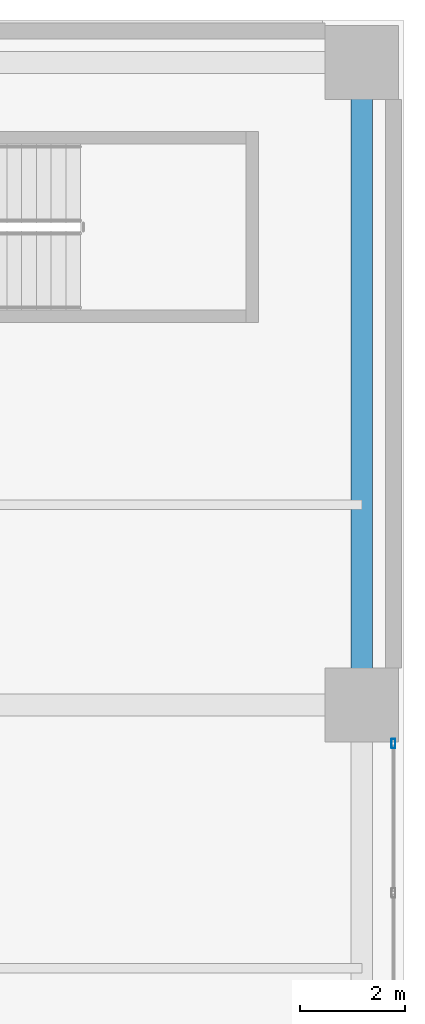
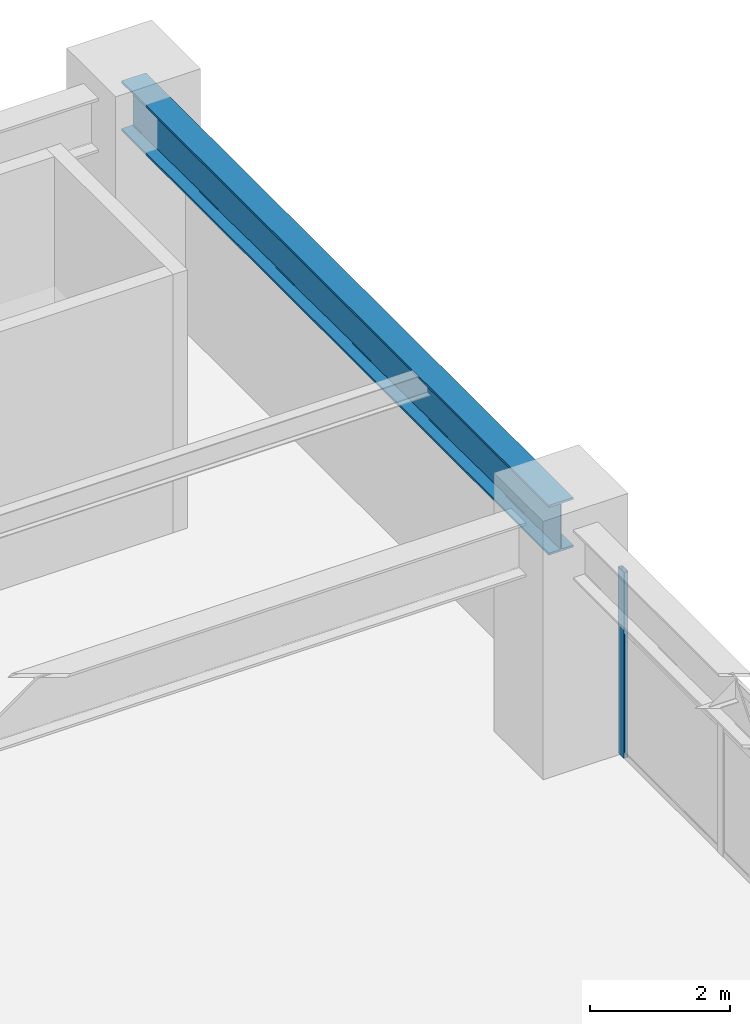
# One storey, part 18 of 28: 1 beam, 1 member, 1 element without a shape of its own.
"""IFC4 building model written with IfcOpenShell, lengths in metres."""

from ifc_helpers import new_model, si_unit, direction, frame, origin, origin_2d, place, context, subcontext, project, spatial, hollow_rectangle, i_section, extrude, material, layer, layer_set, material_profile, profile_set, type_object, element, aggregate, save


model = new_model("IFC4")

# Units and contexts
model_context = context("Model", 3, precision=1e-05, world=origin(), true_north=direction((0.0, 1.0)))
body_context = subcontext(model_context, "Body", "Model", "MODEL_VIEW")
ifc_project = project(units=[si_unit("LENGTHUNIT", "METRE"), si_unit("AREAUNIT", "SQUARE_METRE"), si_unit("VOLUMEUNIT", "CUBIC_METRE"), si_unit("PLANEANGLEUNIT", "RADIAN"), si_unit("MASSUNIT", "GRAM", prefix="KILO")], contexts=[model_context])

# Site, building, storey
site_placement = place(None, origin())
site = spatial("IfcSite", under=ifc_project, at=site_placement, CompositionType="ELEMENT")
building_placement = place(site_placement, origin())
building = spatial("IfcBuilding", under=site, at=building_placement, Name="Soratama Intermodal Tower", CompositionType="ELEMENT")
storey_placement = place(building_placement, frame((0.0, 0.0, 20.699951171875)))
storey = spatial("IfcBuildingStorey", under=building, at=storey_placement, Name="L04", CompositionType="ELEMENT", Elevation=20.699951171875)

# Beam
ifc_material_1 = material(Name="Structural steel ASTM A992 Grade 50", Category="steel")
ifc_material_profile_1 = material_profile(ifc_material_1, i_section(OverallWidth=0.403076171875, OverallDepth=0.867919921875, WebThickness=0.02099609375, FlangeThickness=0.03564453125, FilletRadius=0.01806640625, at=origin_2d()), Name="W33X241")
ifc_profile_set_1 = profile_set([ifc_material_profile_1], Name="Structural steel ASTM A992 Grade 50")
beam_type = type_object("IfcBeamType", Name="BM-POD-EXT-W33", PredefinedType="BEAM", material=ifc_profile_set_1)
beam_placement = place(storey_placement, frame((83.199951171875, 35.0, 3.74609375), z_axis=(0.0, 1.0, 0.0), x_axis=(-1.0, 0.0, 0.0)))
element("IfcBeam", 1, at=beam_placement, inside=storey, type_object=beam_type, Name="L04 Station Girder Y4-4", PredefinedType="BEAM", context=body_context, shape_type="SweptSolid", body=[
    extrude(i_section(OverallWidth=0.403076171875, OverallDepth=0.867919921875, WebThickness=0.02099609375, FlangeThickness=0.03564453125, FilletRadius=0.01806640625, at=origin_2d()), origin(), (0.0, 0.0, 1.0), 12.199951171875),
])

# Curtain wall, member
ifc_material_2 = material(Name="Double-glazed aluminium curtain wall", Category="aluminium")
ifc_layer = layer(ifc_material_2, 0.159912109375)
ifc_layer_set = layer_set([ifc_layer], Name="Double-glazed aluminium curtain wall")
curtain_wall_type = type_object("IfcCurtainWallType", Name="CW-SYS-1", PredefinedType="NOTDEFINED", material=ifc_layer_set)
curtain_wall_placement = place(storey_placement, origin())
curtain_wall = element("IfcCurtainWall", 2, at=curtain_wall_placement, inside=storey, type_object=curtain_wall_type, Name="L04 Station Curtain Wall E2", PredefinedType="NOTDEFINED")
ifc_material_3 = material(Name="Anodised aluminium AA 6063-T6", Category="aluminium")
ifc_material_profile_2 = material_profile(ifc_material_3, hollow_rectangle(XDim=0.074951171875, YDim=0.179931640625, WallThickness=0.006103515625, InnerFilletRadius=0.006103515625, OuterFilletRadius=0.011962890625, at=origin_2d()), Name="CWM180X75X6")
ifc_profile_set_2 = profile_set([ifc_material_profile_2], Name="Anodised aluminium AA 6063-T6")
member_type = type_object("IfcMemberType", Name="MT-CWM-1", PredefinedType="MULLION", material=ifc_profile_set_2)
member_placement = place(storey_placement, frame((83.800048828125, 34.27001953125, 0.0), z_axis=(0.0, 0.0, 1.0), x_axis=(-1.0, 0.0, 0.0)))
member = element("IfcMember", 3, at=member_placement, type_object=member_type, Name="CW-1 mullion 4", PredefinedType="MULLION", context=body_context, shape_type="SweptSolid", body=[
    extrude(hollow_rectangle(XDim=0.074951171875, YDim=0.179931640625, WallThickness=0.006103515625, InnerFilletRadius=0.006103515625, OuterFilletRadius=0.011962890625, at=origin_2d()), origin(), (0.0, 0.0, 1.0), 3.236083984375),
])
aggregate(curtain_wall, [member])

save(model, "model.ifc")
